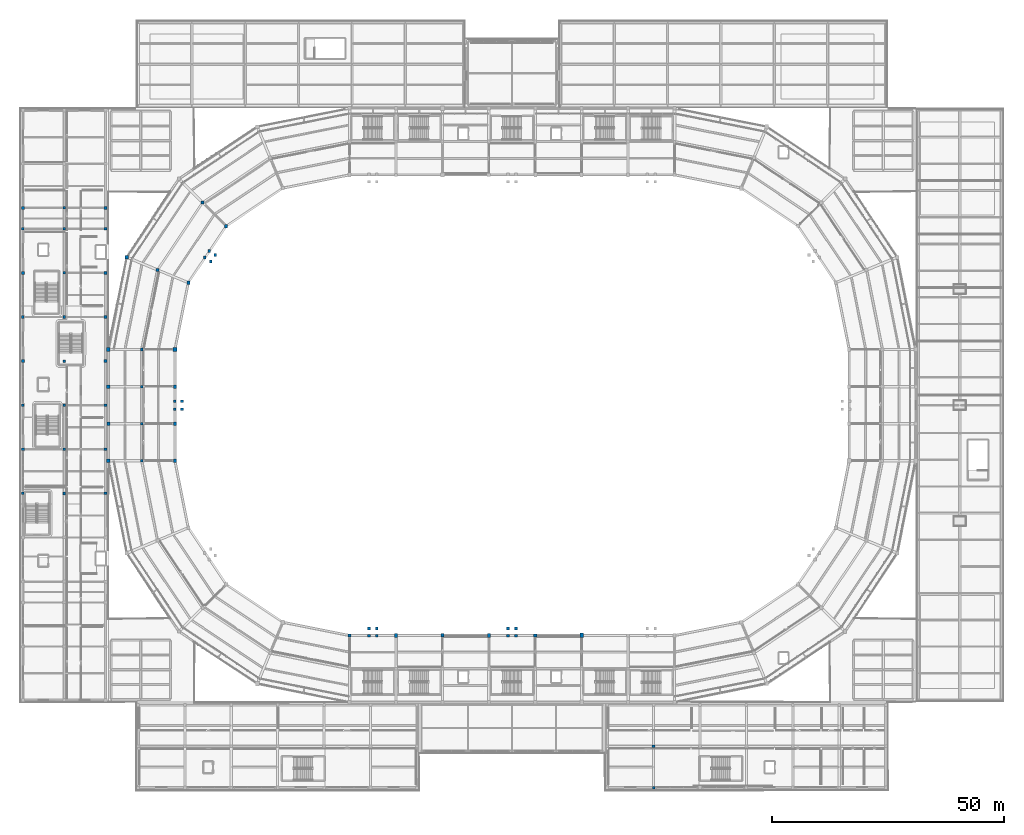
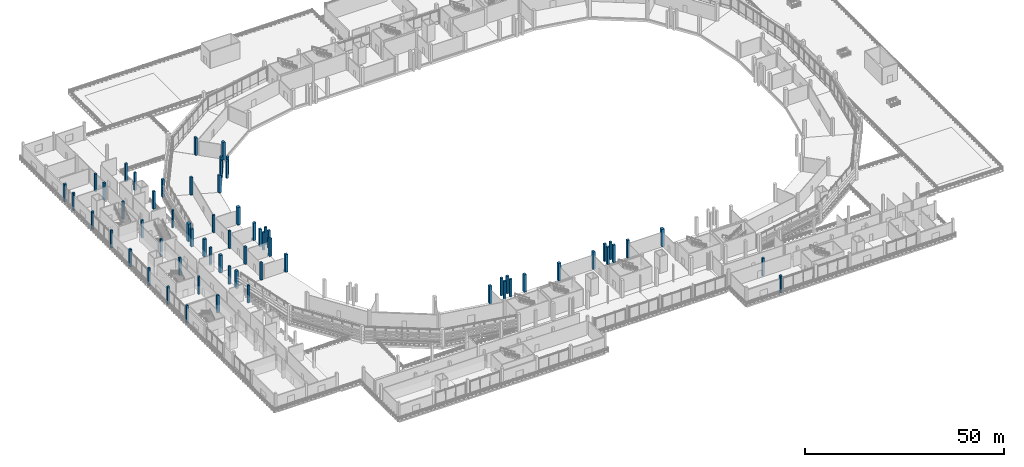
# One storey, part 4 of 111: 65 columns.
"""IFC4 building model written with IfcOpenShell, lengths in metres."""

from ifc_helpers import new_model, si_unit, direction, frame, origin, origin_2d, place, context, subcontext, project, spatial, rectangle, extrude, material, material_profile, profile_set, type_object, element, save


model = new_model("IFC4")

# Units and contexts
model_context = context("Model", 3, precision=1e-05, world=origin(), true_north=direction((0.0, 1.0)))
body_context = subcontext(model_context, "Body", "Model", "MODEL_VIEW")
ifc_project = project(units=[si_unit("LENGTHUNIT", "METRE"), si_unit("AREAUNIT", "SQUARE_METRE"), si_unit("VOLUMEUNIT", "CUBIC_METRE"), si_unit("PLANEANGLEUNIT", "RADIAN"), si_unit("MASSUNIT", "GRAM", prefix="KILO")], contexts=[model_context])

# Site, building, storey
site_placement = place(None, origin())
site = spatial("IfcSite", under=ifc_project, at=site_placement, CompositionType="ELEMENT")
building_placement = place(site_placement, origin())
building = spatial("IfcBuilding", under=site, at=building_placement, Name="Candeia Ridge Stadium", CompositionType="ELEMENT")
storey_placement = place(building_placement, frame((0.0, 0.0, 16.199951171875)))
storey = spatial("IfcBuildingStorey", under=building, at=storey_placement, Name="L03", CompositionType="ELEMENT", Elevation=16.199951171875)

# Columns
ifc_material_1 = material(Name="Concrete C40/50", Category="concrete")
ifc_material_profile_1 = material_profile(ifc_material_1, rectangle(XDim=0.47998046875, YDim=0.56005859375, at=origin_2d()), Name="RC480x560", Category="concrete")
ifc_profile_set_1 = profile_set([ifc_material_profile_1], Name="Concrete C40/50")
column_type_1 = type_object("IfcColumnType", Name="Graduated Frame Column RC480x560", PredefinedType="COLUMN", material=ifc_profile_set_1)
column_1_placement = place(storey_placement, frame((26.199951171875, 87.0, 0.0), z_axis=(0.0, 0.0, 1.0), x_axis=(1.0, 0.0, 0.0)))
element("IfcColumn", 1, at=column_1_placement, inside=storey, type_object=column_type_1, Name="Structural column BC-M2-12 L03", PredefinedType="COLUMN", context=body_context, shape_type="SweptSolid", body=[
    extrude(rectangle(XDim=0.47998046875, YDim=0.56005859375, at=origin_2d()), origin(), (0.0, 0.0, 1.0), 5.400146484375),
])
ifc_material_profile_2 = material_profile(ifc_material_1, rectangle(XDim=0.52001953125, YDim=0.6201171875, at=origin_2d()), Name="RC520x620", Category="concrete")
ifc_profile_set_2 = profile_set([ifc_material_profile_2], Name="Concrete C40/50")
column_type_2 = type_object("IfcColumnType", Name="Graduated Frame Column RC520x620", PredefinedType="COLUMN", material=ifc_profile_set_2)
column_2_placement = place(storey_placement, frame((26.199951171875, 95.0, 0.0), z_axis=(0.0, 0.0, 1.0), x_axis=(1.0, 0.0, 0.0)))
element("IfcColumn", 2, at=column_2_placement, inside=storey, type_object=column_type_2, Name="Structural column BC-M2-11 L03", PredefinedType="COLUMN", context=body_context, shape_type="SweptSolid", body=[
    extrude(rectangle(XDim=0.52001953125, YDim=0.6201171875, at=origin_2d()), origin(), (0.0, 0.0, 1.0), 5.400146484375),
])
ifc_material_profile_3 = material_profile(ifc_material_1, rectangle(XDim=0.580078125, YDim=0.580078125, at=origin_2d()), Name="RC580x580", Category="concrete")
ifc_profile_set_3 = profile_set([ifc_material_profile_3], Name="Concrete C40/50")
column_type_3 = type_object("IfcColumnType", Name="Graduated Frame Column RC580x580", PredefinedType="COLUMN", material=ifc_profile_set_3)
column_3_placement = place(storey_placement, frame((26.199951171875, 71.0, 0.0), z_axis=(0.0, 0.0, 1.0), x_axis=(1.0, 0.0, 0.0)))
element("IfcColumn", 3, at=column_3_placement, inside=storey, type_object=column_type_3, Name="Structural column BC-M2-14 L03", PredefinedType="COLUMN", context=body_context, shape_type="SweptSolid", body=[
    extrude(rectangle(XDim=0.580078125, YDim=0.580078125, at=origin_2d()), origin(), (0.0, 0.0, 1.0), 5.400146484375),
])
ifc_material_profile_4 = material_profile(ifc_material_1, rectangle(XDim=0.580078125, YDim=0.679931640625, at=origin_2d()), Name="RC580x680", Category="concrete")
ifc_profile_set_4 = profile_set([ifc_material_profile_4], Name="Concrete C40/50")
column_type_4 = type_object("IfcColumnType", Name="Graduated Frame Column RC580x680", PredefinedType="COLUMN", material=ifc_profile_set_4)
column_4_placement = place(storey_placement, frame((29.610107421875, 112.144287109375, 0.0), z_axis=(0.0, 0.0, 1.0), x_axis=(1.0, 0.0, 0.0)))
element("IfcColumn", 4, at=column_4_placement, inside=storey, type_object=column_type_4, Name="Structural column BC-M2-10 L03", PredefinedType="COLUMN", context=body_context, shape_type="SweptSolid", body=[
    extrude(rectangle(XDim=0.580078125, YDim=0.679931640625, at=origin_2d()), origin(), (0.0, 0.0, 1.0), 5.400146484375),
])
ifc_material_profile_5 = material_profile(ifc_material_1, rectangle(XDim=0.6201171875, YDim=0.6201171875, at=origin_2d()), Name="RC620x620", Category="concrete")
ifc_profile_set_5 = profile_set([ifc_material_profile_5], Name="Concrete C40/50")
column_type_5 = type_object("IfcColumnType", Name="Graduated Frame Column RC620x620", PredefinedType="COLUMN", material=ifc_profile_set_5)
column_5_placement = place(storey_placement, frame((26.199951171875, 79.0, 0.0), z_axis=(0.0, 0.0, 1.0), x_axis=(1.0, 0.0, 0.0)))
element("IfcColumn", 5, at=column_5_placement, inside=storey, type_object=column_type_5, Name="Structural column BC-M2-13 L03", PredefinedType="COLUMN", context=body_context, shape_type="SweptSolid", body=[
    extrude(rectangle(XDim=0.6201171875, YDim=0.6201171875, at=origin_2d()), origin(), (0.0, 0.0, 1.0), 5.400146484375),
])
ifc_material_profile_6 = material_profile(ifc_material_1, rectangle(XDim=0.6201171875, YDim=0.719970703125, at=origin_2d()), Name="RC620x720", Category="concrete")
ifc_profile_set_6 = profile_set([ifc_material_profile_6], Name="Concrete C40/50")
column_type_6 = type_object("IfcColumnType", Name="Graduated Frame Column RC620x720", PredefinedType="COLUMN", material=ifc_profile_set_6)
column_6_placement = place(storey_placement, frame((39.321533203125, 126.678466796875, 0.0), z_axis=(0.0, 0.0, 1.0), x_axis=(1.0, 0.0, 0.0)))
element("IfcColumn", 6, at=column_6_placement, inside=storey, type_object=column_type_6, Name="Structural column BC-M2-09 L03", PredefinedType="COLUMN", context=body_context, shape_type="SweptSolid", body=[
    extrude(rectangle(XDim=0.6201171875, YDim=0.719970703125, at=origin_2d()), origin(), (0.0, 0.0, 1.0), 5.400146484375),
])
ifc_material_profile_7 = material_profile(ifc_material_1, rectangle(XDim=0.679931640625, YDim=0.760009765625, at=origin_2d()), Name="RC680x760", Category="concrete")
ifc_profile_set_7 = profile_set([ifc_material_profile_7], Name="Concrete C40/50")
column_type_7 = type_object("IfcColumnType", Name="Graduated Frame Column RC680x760", PredefinedType="COLUMN", material=ifc_profile_set_7)
for number, where, z_axis, x_axis, name in (
    (7, (33.39990234375, 71.0, 0.0), (0.0, 0.0, 1.0), (1.0, 0.0, 0.0), "Structural column BC-MD-14 L03"),
    (8, (19.0, 71.0, 0.0), (0.0, 0.0, 1.0), (1.0, 0.0, 0.0), "Structural column BC-OU-14 L03"),
    (9, (91.0, 33.39990234375, 0.0), (0.0, 0.0, 1.0), (1.0, 0.0, 0.0), "Structural column BC-MD-20 L03"),
):
    element("IfcColumn", number, at=place(storey_placement, frame(where, z_axis=z_axis, x_axis=x_axis)), inside=storey, type_object=column_type_7, Name=name, PredefinedType="COLUMN", context=body_context, shape_type="SweptSolid", body=[
        extrude(rectangle(XDim=0.679931640625, YDim=0.760009765625, at=origin_2d()), origin(), (0.0, 0.0, 1.0), 5.400146484375),
    ])
ifc_material_2 = material(Name="Concrete C45/55", Category="concrete")
ifc_material_profile_8 = material_profile(ifc_material_2, rectangle(XDim=0.820068359375, YDim=0.949951171875, at=origin_2d()), Name="RC820x950", Category="concrete")
ifc_profile_set_8 = profile_set([ifc_material_profile_8], Name="Concrete C45/55")
column_type_8 = type_object("IfcColumnType", Name="Graduated Frame Column RC820x950", PredefinedType="COLUMN", material=ifc_profile_set_8)
for number, where, z_axis, x_axis, name in (
    (10, (33.39990234375, 95.0, 0.0), (0.0, 0.0, 1.0), (1.0, 0.0, 0.0), "Structural column BC-MD-11 L03"),
    (11, (19.0, 95.0, 0.0), (0.0, 0.0, 1.0), (1.0, 0.0, 0.0), "Structural column BC-OU-11 L03"),
    (12, (121.0, 33.39990234375, 0.0), (0.0, 0.0, 1.0), (1.0, 0.0, 0.0), "Structural column BC-MD-23 L03"),
):
    element("IfcColumn", number, at=place(storey_placement, frame(where, z_axis=z_axis, x_axis=x_axis)), inside=storey, type_object=column_type_8, Name=name, PredefinedType="COLUMN", context=body_context, shape_type="SweptSolid", body=[
        extrude(rectangle(XDim=0.820068359375, YDim=0.949951171875, at=origin_2d()), origin(), (0.0, 0.0, 1.0), 5.400146484375),
    ])
ifc_material_profile_9 = material_profile(ifc_material_1, rectangle(XDim=0.550048828125, YDim=0.550048828125, at=origin_2d()), Name="RC550x550", Category="concrete")
ifc_profile_set_9 = profile_set([ifc_material_profile_9], Name="Concrete C40/50")
column_type_9 = type_object("IfcColumnType", Name="Reinforced Concrete Column RC550x550", PredefinedType="COLUMN", material=ifc_profile_set_9)
for number, where, z_axis, x_axis, name in (
    (13, (0.60009765625, 64.0, 0.0), (0.0, 0.0, 1.0), (1.0, 0.0, 0.0), "Structural column WP-00-05 L03"),
    (14, (0.60009765625, 83.0, 0.0), (0.0, 0.0, 1.0), (1.0, 0.0, 0.0), "Structural column WP-00-07 L03"),
    (15, (0.60009765625, 102.0, 0.0), (0.0, 0.0, 1.0), (1.0, 0.0, 0.0), "Structural column WP-00-09 L03"),
    (16, (0.60009765625, 121.0, 0.0), (0.0, 0.0, 1.0), (1.0, 0.0, 0.0), "Structural column WP-00-11 L03"),
    (17, (9.5, 73.5, 0.0), (0.0, 0.0, 1.0), (1.0, 0.0, 0.0), "Structural column WP-01-06 L03"),
    (18, (9.5, 92.5, 0.0), (0.0, 0.0, 1.0), (1.0, 0.0, 0.0), "Structural column WP-01-08 L03"),
    (19, (9.5, 111.5, 0.0), (0.0, 0.0, 1.0), (1.0, 0.0, 0.0), "Structural column WP-01-10 L03"),
    (20, (9.5, 125.5, 0.0), (0.0, 0.0, 1.0), (1.0, 0.0, 0.0), "Structural column WP-01-12 L03"),
    (21, (18.39990234375, 64.0, 0.0), (0.0, 0.0, 1.0), (1.0, 0.0, 0.0), "Structural column WP-02-05 L03"),
    (22, (18.39990234375, 83.0, 0.0), (0.0, 0.0, 1.0), (1.0, 0.0, 0.0), "Structural column WP-02-07 L03"),
    (23, (18.39990234375, 102.0, 0.0), (0.0, 0.0, 1.0), (1.0, 0.0, 0.0), "Structural column WP-02-09 L03"),
    (24, (18.39990234375, 121.0, 0.0), (0.0, 0.0, 1.0), (1.0, 0.0, 0.0), "Structural column WP-02-11 L03"),
    (25, (136.5, 0.60009765625, 0.0), (0.0, 0.0, 1.0), (1.0, 0.0, 0.0), "Structural column SWE-01-00 L03"),
):
    element("IfcColumn", number, at=place(storey_placement, frame(where, z_axis=z_axis, x_axis=x_axis)), inside=storey, type_object=column_type_9, Name=name, PredefinedType="COLUMN", context=body_context, shape_type="SweptSolid", body=[
        extrude(rectangle(XDim=0.550048828125, YDim=0.550048828125, at=origin_2d()), origin(), (0.0, 0.0, 1.0), 5.400146484375),
    ])
ifc_material_profile_10 = material_profile(ifc_material_1, rectangle(XDim=0.64990234375, YDim=0.800048828125, at=origin_2d()), Name="RC650x800", Category="concrete")
ifc_profile_set_10 = profile_set([ifc_material_profile_10], Name="Concrete C40/50")
column_type_10 = type_object("IfcColumnType", Name="Reinforced Concrete Column RC650x800", PredefinedType="COLUMN", material=ifc_profile_set_10)
for number, where, z_axis, x_axis, name in (
    (26, (44.412841796875, 121.587158203125, 0.0), (0.0, 0.0, 1.0), (1.0, 0.0, 0.0), "Structural column BC-MD-09 L03"),
    (27, (33.39990234375, 79.0, 0.0), (0.0, 0.0, 1.0), (1.0, 0.0, 0.0), "Structural column BC-MD-13 L03"),
    (28, (19.0, 79.0, 0.0), (0.0, 0.0, 1.0), (1.0, 0.0, 0.0), "Structural column BC-OU-13 L03"),
    (29, (81.0, 33.39990234375, 0.0), (0.0, 0.0, 1.0), (1.0, 0.0, 0.0), "Structural column BC-MD-19 L03"),
    (30, (101.0, 33.39990234375, 0.0), (0.0, 0.0, 1.0), (1.0, 0.0, 0.0), "Structural column BC-MD-21 L03"),
):
    element("IfcColumn", number, at=place(storey_placement, frame(where, z_axis=z_axis, x_axis=x_axis)), inside=storey, type_object=column_type_10, Name=name, PredefinedType="COLUMN", context=body_context, shape_type="SweptSolid", body=[
        extrude(rectangle(XDim=0.64990234375, YDim=0.800048828125, at=origin_2d()), origin(), (0.0, 0.0, 1.0), 5.400146484375),
    ])
ifc_material_profile_11 = material_profile(ifc_material_1, rectangle(XDim=0.60009765625, YDim=0.60009765625, at=origin_2d()), Name="RC600x600", Category="concrete")
ifc_profile_set_11 = profile_set([ifc_material_profile_11], Name="Concrete C40/50")
column_type_11 = type_object("IfcColumnType", Name="Wing Column RC600x600", PredefinedType="COLUMN", material=ifc_profile_set_11)
for number, where, z_axis, x_axis, name in (
    (31, (0.60009765625, 73.5, 0.0), (0.0, 0.0, 1.0), (1.0, 0.0, 0.0), "Structural column WP-00-06 L03"),
    (32, (0.60009765625, 92.5, 0.0), (0.0, 0.0, 1.0), (1.0, 0.0, 0.0), "Structural column WP-00-08 L03"),
    (33, (0.60009765625, 111.5, 0.0), (0.0, 0.0, 1.0), (1.0, 0.0, 0.0), "Structural column WP-00-10 L03"),
    (34, (0.60009765625, 125.5, 0.0), (0.0, 0.0, 1.0), (1.0, 0.0, 0.0), "Structural column WP-00-12 L03"),
    (35, (9.5, 64.0, 0.0), (0.0, 0.0, 1.0), (1.0, 0.0, 0.0), "Structural column WP-01-05 L03"),
    (36, (9.5, 83.0, 0.0), (0.0, 0.0, 1.0), (1.0, 0.0, 0.0), "Structural column WP-01-07 L03"),
    (37, (9.5, 102.0, 0.0), (0.0, 0.0, 1.0), (1.0, 0.0, 0.0), "Structural column WP-01-09 L03"),
    (38, (9.5, 121.0, 0.0), (0.0, 0.0, 1.0), (1.0, 0.0, 0.0), "Structural column WP-01-11 L03"),
    (39, (18.39990234375, 73.5, 0.0), (0.0, 0.0, 1.0), (1.0, 0.0, 0.0), "Structural column WP-02-06 L03"),
    (40, (18.39990234375, 92.5, 0.0), (0.0, 0.0, 1.0), (1.0, 0.0, 0.0), "Structural column WP-02-08 L03"),
    (41, (18.39990234375, 111.5, 0.0), (0.0, 0.0, 1.0), (1.0, 0.0, 0.0), "Structural column WP-02-10 L03"),
    (42, (18.39990234375, 125.5, 0.0), (0.0, 0.0, 1.0), (1.0, 0.0, 0.0), "Structural column WP-02-12 L03"),
    (43, (136.5, 9.5, 0.0), (0.0, 0.0, 1.0), (1.0, 0.0, 0.0), "Structural column SWE-01-01 L03"),
    (44, (39.803955078125, 114.822265625, 0.0), (0.0, 0.0, 1.0), (1.0, 0.0, 0.0), "Vomitory VS28 landing support column 1 L03"),
    (45, (41.0927734375, 113.961181640625, 0.0), (0.0, 0.0, 1.0), (1.0, 0.0, 0.0), "Vomitory VS28 landing support column 2 L03"),
    (46, (42.037109375, 115.37451171875, 0.0), (0.0, 0.0, 1.0), (1.0, 0.0, 0.0), "Vomitory VS28 landing support column 3 L03"),
    (47, (40.748291015625, 116.23583984375, 0.0), (0.0, 0.0, 1.0), (1.0, 0.0, 0.0), "Vomitory VS28 landing support column 4 L03"),
    (48, (33.318115234375, 82.14990234375, 0.0), (0.0, 0.0, 1.0), (1.0, 0.0, 0.0), "Vomitory VS29 landing support column 1 L03"),
    (49, (34.867919921875, 82.14990234375, 0.0), (0.0, 0.0, 1.0), (1.0, 0.0, 0.0), "Vomitory VS29 landing support column 2 L03"),
    (50, (34.867919921875, 83.85009765625, 0.0), (0.0, 0.0, 1.0), (1.0, 0.0, 0.0), "Vomitory VS29 landing support column 3 L03"),
    (51, (33.318115234375, 83.85009765625, 0.0), (0.0, 0.0, 1.0), (1.0, 0.0, 0.0), "Vomitory VS29 landing support column 4 L03"),
    (52, (76.85009765625, 33.318115234375, 0.0), (0.0, 0.0, 1.0), (1.0, 0.0, 0.0), "Vomitory VS31 landing support column 1 L03"),
    (53, (76.85009765625, 34.867919921875, 0.0), (0.0, 0.0, 1.0), (1.0, 0.0, 0.0), "Vomitory VS31 landing support column 2 L03"),
    (54, (75.14990234375, 34.867919921875, 0.0), (0.0, 0.0, 1.0), (1.0, 0.0, 0.0), "Vomitory VS31 landing support column 3 L03"),
    (55, (75.14990234375, 33.318115234375, 0.0), (0.0, 0.0, 1.0), (1.0, 0.0, 0.0), "Vomitory VS31 landing support column 4 L03"),
    (56, (106.85009765625, 33.318115234375, 0.0), (0.0, 0.0, 1.0), (1.0, 0.0, 0.0), "Vomitory VS32 landing support column 1 L03"),
    (57, (106.85009765625, 34.867919921875, 0.0), (0.0, 0.0, 1.0), (1.0, 0.0, 0.0), "Vomitory VS32 landing support column 2 L03"),
    (58, (105.14990234375, 34.867919921875, 0.0), (0.0, 0.0, 1.0), (1.0, 0.0, 0.0), "Vomitory VS32 landing support column 3 L03"),
    (59, (105.14990234375, 33.318115234375, 0.0), (0.0, 0.0, 1.0), (1.0, 0.0, 0.0), "Vomitory VS32 landing support column 4 L03"),
):
    element("IfcColumn", number, at=place(storey_placement, frame(where, z_axis=z_axis, x_axis=x_axis)), inside=storey, type_object=column_type_11, Name=name, PredefinedType="COLUMN", context=body_context, shape_type="SweptSolid", body=[
        extrude(rectangle(XDim=0.60009765625, YDim=0.60009765625, at=origin_2d()), origin(), (0.0, 0.0, 1.0), 5.400146484375),
    ])
ifc_material_profile_12 = material_profile(ifc_material_1, rectangle(XDim=0.699951171875, YDim=0.699951171875, at=origin_2d()), Name="RC700x700", Category="concrete")
ifc_profile_set_12 = profile_set([ifc_material_profile_12], Name="Concrete C40/50")
column_type_12 = type_object("IfcColumnType", Name="Wing Column RC700x700", PredefinedType="COLUMN", material=ifc_profile_set_12)
for number, where, z_axis, x_axis, name in (
    (60, (36.26220703125, 109.388916015625, 0.0), (0.0, 0.0, 1.0), (1.0, 0.0, 0.0), "Structural column BC-MD-10 L03"),
    (61, (22.958251953125, 114.899658203125, 0.0), (0.0, 0.0, 1.0), (1.0, 0.0, 0.0), "Structural column BC-OU-10 L03"),
    (62, (33.39990234375, 87.0, 0.0), (0.0, 0.0, 1.0), (1.0, 0.0, 0.0), "Structural column BC-MD-12 L03"),
    (63, (19.0, 87.0, 0.0), (0.0, 0.0, 1.0), (1.0, 0.0, 0.0), "Structural column BC-OU-12 L03"),
    (64, (71.0, 33.39990234375, 0.0), (0.0, 0.0, 1.0), (1.0, 0.0, 0.0), "Structural column BC-MD-18 L03"),
    (65, (111.0, 33.39990234375, 0.0), (0.0, 0.0, 1.0), (1.0, 0.0, 0.0), "Structural column BC-MD-22 L03"),
):
    element("IfcColumn", number, at=place(storey_placement, frame(where, z_axis=z_axis, x_axis=x_axis)), inside=storey, type_object=column_type_12, Name=name, PredefinedType="COLUMN", context=body_context, shape_type="SweptSolid", body=[
        extrude(rectangle(XDim=0.699951171875, YDim=0.699951171875, at=origin_2d()), origin(), (0.0, 0.0, 1.0), 5.400146484375),
    ])

save(model, "model.ifc")
